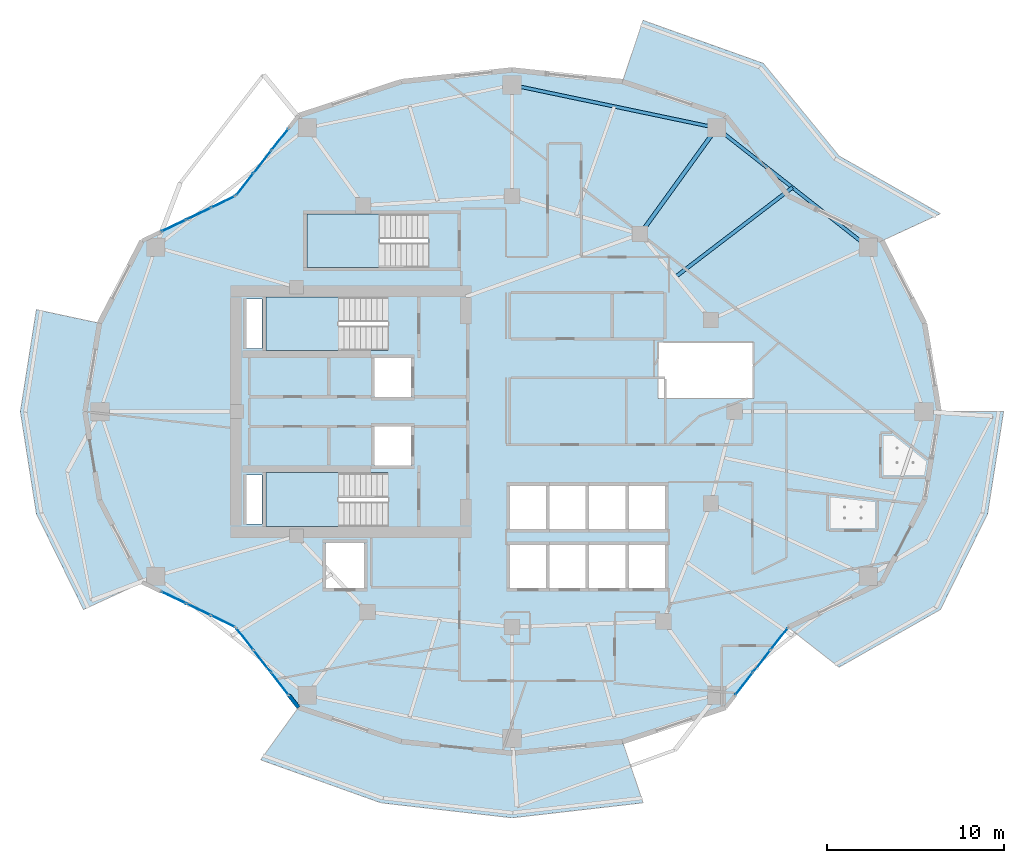
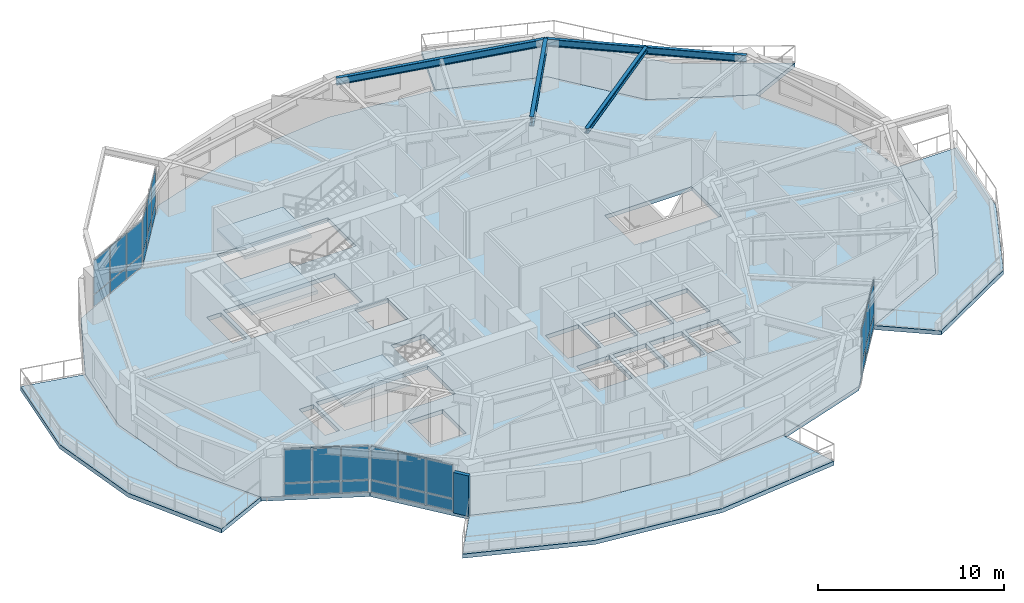
# One storey, part 6 of 18: 35 plates, 8 slabs, 4 beams, 1 wall, 8 elements without a shape of their own.
"""IFC4 building model written with IfcOpenShell, lengths in metres."""

from ifc_helpers import new_model, si_unit, direction, frame, frame_2d, origin, origin_2d, place, context, subcontext, project, spatial, polyline, rectangle, i_section, outline, extrude, material, layer, layer_set, material_profile, profile_set, type_object, element, aggregate, save


model = new_model("IFC4")

# Units and contexts
model_context = context("Model", 3, precision=1e-05, world=origin(), true_north=direction((0.0, 1.0)))
body_context = subcontext(model_context, "Body", "Model", "MODEL_VIEW")
ifc_project = project(units=[si_unit("LENGTHUNIT", "METRE"), si_unit("AREAUNIT", "SQUARE_METRE"), si_unit("VOLUMEUNIT", "CUBIC_METRE"), si_unit("PLANEANGLEUNIT", "RADIAN"), si_unit("MASSUNIT", "GRAM", prefix="KILO")], contexts=[model_context])

# Site, building, storey
site_placement = place(None, origin())
site = spatial("IfcSite", under=ifc_project, at=site_placement, CompositionType="ELEMENT")
building_placement = place(site_placement, origin())
building = spatial("IfcBuilding", under=site, at=building_placement, Name="Kolvaren Gate Tower and Convention Centre", CompositionType="ELEMENT")
storey_placement = place(building_placement, frame((0.0, 0.0, 115.5)))
storey = spatial("IfcBuildingStorey", under=building, at=storey_placement, Name="L28", CompositionType="ELEMENT", Elevation=115.5)

# Beams
ifc_material_1 = material(Name="Structural steel ASTM A992 Grade 345 MPa", Category="steel")
ifc_material_profile_1 = material_profile(ifc_material_1, i_section(OverallWidth=0.22998046875, OverallDepth=0.616943359375, WebThickness=0.01318359375, FlangeThickness=0.022216796875, at=origin_2d()), Name="W610X140")
ifc_profile_set_1 = profile_set([ifc_material_profile_1], Name="Structural steel ASTM A992 Grade 345 MPa")
beam_type_1 = type_object("IfcBeamType", Name="STR-BM-W610X140", PredefinedType="BEAM", material=ifc_profile_set_1)
beam_1_placement = place(storey_placement, frame((37.381591796875, 37.054931640625, 2.821533203125), z_axis=(0.585208050015, 0.810883184064, 0.0), x_axis=(-0.810883184064, 0.585208050015, 0.0)))
element("IfcBeam", 1, at=beam_1_placement, inside=storey, type_object=beam_type_1, Name="Tower L28 Radial Floor Girder RB-03", PredefinedType="BEAM", context=body_context, shape_type="SweptSolid", body=[
    extrude(i_section(OverallWidth=0.22998046875, OverallDepth=0.616943359375, WebThickness=0.01318359375, FlangeThickness=0.022216796875, at=origin_2d()), origin(), (0.0, 0.0, 1.0), 7.416015625),
])
ifc_material_profile_2 = material_profile(ifc_material_1, i_section(OverallWidth=0.205078125, OverallDepth=0.31005859375, WebThickness=0.009521484375, FlangeThickness=0.016357421875, at=origin_2d()), Name="W310X74")
ifc_profile_set_2 = profile_set([ifc_material_profile_2], Name="Structural steel ASTM A992 Grade 345 MPa")
beam_type_2 = type_object("IfcBeamType", Name="STR-JS-W310X74", PredefinedType="JOIST", material=ifc_profile_set_2)
beam_2_placement = place(storey_placement, frame((39.3818359375, 34.627197265625, 2.97509765625), z_axis=(0.79454218325, 0.607208958297, 0.0), x_axis=(-0.607208958297, 0.79454218325, 0.0)))
element("IfcBeam", 2, at=beam_2_placement, inside=storey, type_object=beam_type_2, Name="Tower L28 Secondary Composite Floor Joist J-02.1", PredefinedType="JOIST", context=body_context, shape_type="SweptSolid", body=[
    extrude(i_section(OverallWidth=0.205078125, OverallDepth=0.31005859375, WebThickness=0.009521484375, FlangeThickness=0.016357421875, at=origin_2d()), origin(), (0.0, 0.0, 1.0), 8.34326171875),
])
ifc_material_profile_3 = material_profile(ifc_material_1, i_section(OverallWidth=0.194091796875, OverallDepth=0.468994140625, WebThickness=0.0126953125, FlangeThickness=0.0205078125, at=origin_2d()), Name="W460X106")
ifc_profile_set_3 = profile_set([ifc_material_profile_3], Name="Structural steel ASTM A992 Grade 345 MPa")
beam_type_3 = type_object("IfcBeamType", Name="STR-SP-W460X106", PredefinedType="SPANDREL", material=ifc_profile_set_3)
beam_3_placement = place(storey_placement, frame((50.30029296875, 36.318603515625, 2.8955078125), z_axis=(-0.785907610354, 0.618343939881, 0.0), x_axis=(-0.618343939881, -0.785907610354, 0.0)))
element("IfcBeam", 3, at=beam_3_placement, inside=storey, type_object=beam_type_3, Name="Tower L28 Perimeter Spandrel Beam SP-02", PredefinedType="SPANDREL", context=body_context, shape_type="SweptSolid", body=[
    extrude(i_section(OverallWidth=0.194091796875, OverallDepth=0.468994140625, WebThickness=0.0126953125, FlangeThickness=0.0205078125, at=origin_2d()), origin(), (0.0, 0.0, 1.0), 10.915771484375),
])
beam_4_placement = place(storey_placement, frame((41.721435546875, 43.068359375, 2.8955078125), z_axis=(-0.978714746947, 0.205225349578, 0.0), x_axis=(-0.205225349578, -0.978714746947, 0.0)))
element("IfcBeam", 4, at=beam_4_placement, inside=storey, type_object=beam_type_3, Name="Tower L28 Perimeter Spandrel Beam SP-03", PredefinedType="SPANDREL", context=body_context, shape_type="SweptSolid", body=[
    extrude(i_section(OverallWidth=0.194091796875, OverallDepth=0.468994140625, WebThickness=0.0126953125, FlangeThickness=0.0205078125, at=origin_2d()), origin(), (0.0, 0.0, 1.0), 11.8486328125),
])

# Plates
ifc_material_2 = material(Name="Perforated Anodized Bronze Aluminium Sheet 6 mm", Category="aluminium")
ifc_layer_1 = layer(ifc_material_2, 0.011962890625)
ifc_layer_set_1 = layer_set([ifc_layer_1], Name="Perforated Anodized Bronze Aluminium Sheet 6 mm")
plate_type_1 = type_object("IfcPlateType", Name="ARCH-PL-SCREEN-PERF", PredefinedType="SHEET", material=ifc_layer_set_1)
for number, where, z_axis, x_axis, name in (
    (5, (16.25634765625, 41.490234375, 2.2900390625), (0.0, 0.0, 1.0), (0.616435493395, 0.787405411769, 0.0), "Tower L28 Perforated Bronze Solar Screen SS-08"),
    (6, (11.82958984375, 37.948974609375, 2.2900390625), (0.0, 0.0, 1.0), (0.901362925045, 0.433064518696, 0.0), "Tower L28 Perforated Bronze Solar Screen SS-09"),
    (7, (11.82958984375, 16.051025390625, 2.2900390625), (0.0, 0.0, 1.0), (0.901362925045, -0.433064518696, 0.0), "Tower L28 Perforated Bronze Solar Screen SS-14"),
    (8, (16.256103515625, 12.509765625, 2.2900390625), (0.0, 0.0, 1.0), (0.616424499081, -0.787414018756, 0.0), "Tower L28 Perforated Bronze Solar Screen SS-15"),
    (9, (43.993896484375, 12.509765625, 2.2900390625), (0.0, 0.0, 1.0), (0.616424499081, 0.787414018756, 0.0), "Tower L28 Perforated Bronze Solar Screen SS-20"),
):
    element("IfcPlate", number, at=place(storey_placement, frame(where, z_axis=z_axis, x_axis=x_axis)), inside=storey, type_object=plate_type_1, Name=name, PredefinedType="SHEET", context=body_context, shape_type="SweptSolid", body=[
        extrude(rectangle(XDim=2.60009765625, YDim=0.011962890625, at=origin_2d()), origin(), (0.0, 0.0, 1.0), 0.840087890625),
    ])

# Curtain wall, plates
ifc_material_3 = material(Name="Anodized Architectural Aluminium Alloy 6063-T6", Category="aluminium")
ifc_layer_2 = layer(ifc_material_3, 0.159912109375)
ifc_layer_set_2 = layer_set([ifc_layer_2], Name="Anodized Architectural Aluminium Alloy 6063-T6")
curtain_wall_type = type_object("IfcCurtainWallType", Name="CW-HTL-UNIT", PredefinedType="NOTDEFINED", material=ifc_layer_set_2)
curtain_wall_1_placement = place(storey_placement, origin())
curtain_wall_1 = element("IfcCurtainWall", 10, at=curtain_wall_1_placement, inside=storey, type_object=curtain_wall_type, Name="Tower L28 Unitised Curtain Wall CW-HTL-UNIT Bay 08", PredefinedType="NOTDEFINED")
ifc_material_4 = material(Name="Low-E Triple Insulated Glazing Unit 44 mm", Category="glass")
ifc_layer_3 = layer(ifc_material_4, 0.0439453125)
ifc_layer_set_3 = layer_set([ifc_layer_3], Name="Low-E Triple Insulated Glazing Unit 44 mm")
plate_type_2 = type_object("IfcPlateType", Name="CW-PL-IGU-44", PredefinedType="CURTAIN_PANEL", material=ifc_layer_set_3)
plate_1_placement = place(storey_placement, frame((14.992919921875, 39.876708984375, 0.88232421875), z_axis=(0.0, 0.0, 1.0), x_axis=(0.616441330983, 0.787400841666, 0.0)))
plate_1 = element("IfcPlate", 11, at=plate_1_placement, type_object=plate_type_2, Name="CW-03 panel 1.2", PredefinedType="CURTAIN_PANEL", context=body_context, shape_type="SweptSolid", body=[
    extrude(rectangle(XDim=1.5302734375, YDim=0.0439453125, at=origin_2d()), origin(), (0.0, 0.0, 1.0), 2.1826171875),
])
plate_2_placement = place(storey_placement, frame((15.986328125, 41.1455078125, 0.88232421875), z_axis=(0.0, 0.0, 1.0), x_axis=(0.616441330983, 0.787400841666, 0.0)))
plate_2 = element("IfcPlate", 12, at=plate_2_placement, type_object=plate_type_2, Name="CW-03 panel 2.2", PredefinedType="CURTAIN_PANEL", context=body_context, shape_type="SweptSolid", body=[
    extrude(rectangle(XDim=1.562744140625, YDim=0.0439453125, at=origin_2d()), origin(), (0.0, 0.0, 1.0), 2.1826171875),
])
plate_3_placement = place(storey_placement, frame((16.979736328125, 42.414306640625, 0.88232421875), z_axis=(0.0, 0.0, 1.0), x_axis=(0.616441330983, 0.787400841666, 0.0)))
plate_3 = element("IfcPlate", 13, at=plate_3_placement, type_object=plate_type_2, Name="CW-03 panel 3.2", PredefinedType="CURTAIN_PANEL", context=body_context, shape_type="SweptSolid", body=[
    extrude(rectangle(XDim=1.5302734375, YDim=0.0439453125, at=origin_2d()), origin(), (0.0, 0.0, 1.0), 2.1826171875),
])

curtain_wall_2_placement = place(storey_placement, origin())
curtain_wall_2 = element("IfcCurtainWall", 14, at=curtain_wall_2_placement, inside=storey, type_object=curtain_wall_type, Name="Tower L28 Unitised Curtain Wall CW-HTL-UNIT Bay 09", PredefinedType="NOTDEFINED")
plate_4_placement = place(storey_placement, frame((10.963623046875, 37.532958984375, 0.88232421875), z_axis=(0.0, 0.0, 1.0), x_axis=(0.901359070966, 0.43307254033, 0.0)))
plate_4 = element("IfcPlate", 15, at=plate_4_placement, type_object=plate_type_2, Name="CW-03 panel 1.2", PredefinedType="CURTAIN_PANEL", context=body_context, shape_type="SweptSolid", body=[
    extrude(rectangle(XDim=1.469970703125, YDim=0.0439453125, at=origin_2d()), origin(), (0.0, 0.0, 1.0), 2.1826171875),
])
plate_5_placement = place(storey_placement, frame((12.36181640625, 38.20458984375, 0.88232421875), z_axis=(0.0, 0.0, 1.0), x_axis=(0.901359070966, 0.43307254033, 0.0)))
plate_5 = element("IfcPlate", 16, at=plate_5_placement, type_object=plate_type_2, Name="CW-03 panel 2.2", PredefinedType="CURTAIN_PANEL", context=body_context, shape_type="SweptSolid", body=[
    extrude(rectangle(XDim=1.50244140625, YDim=0.0439453125, at=origin_2d()), origin(), (0.0, 0.0, 1.0), 2.1826171875),
])
plate_6_placement = place(storey_placement, frame((13.76025390625, 38.87646484375, 0.88232421875), z_axis=(0.0, 0.0, 1.0), x_axis=(0.901359070966, 0.43307254033, 0.0)))
plate_6 = element("IfcPlate", 17, at=plate_6_placement, type_object=plate_type_2, Name="CW-03 panel 3.2", PredefinedType="CURTAIN_PANEL", context=body_context, shape_type="SweptSolid", body=[
    extrude(rectangle(XDim=1.469970703125, YDim=0.0439453125, at=origin_2d()), origin(), (0.0, 0.0, 1.0), 2.1826171875),
])

curtain_wall_3_placement = place(storey_placement, origin())
curtain_wall_3 = element("IfcCurtainWall", 18, at=curtain_wall_3_placement, inside=storey, type_object=curtain_wall_type, Name="Tower L28 Unitised Curtain Wall CW-HTL-UNIT Bay 14", PredefinedType="NOTDEFINED")
plate_7_placement = place(storey_placement, frame((10.963623046875, 16.467041015625, 0.88232421875), z_axis=(0.0, 0.0, 1.0), x_axis=(0.901359070966, -0.43307254033, 0.0)))
plate_7 = element("IfcPlate", 19, at=plate_7_placement, type_object=plate_type_2, Name="CW-03 panel 1.2", PredefinedType="CURTAIN_PANEL", context=body_context, shape_type="SweptSolid", body=[
    extrude(rectangle(XDim=1.469970703125, YDim=0.0439453125, at=origin_2d()), origin(), (0.0, 0.0, 1.0), 2.1826171875),
])
plate_8_placement = place(storey_placement, frame((12.36181640625, 15.79541015625, 0.88232421875), z_axis=(0.0, 0.0, 1.0), x_axis=(0.901359070966, -0.43307254033, 0.0)))
plate_8 = element("IfcPlate", 20, at=plate_8_placement, type_object=plate_type_2, Name="CW-03 panel 2.2", PredefinedType="CURTAIN_PANEL", context=body_context, shape_type="SweptSolid", body=[
    extrude(rectangle(XDim=1.50244140625, YDim=0.0439453125, at=origin_2d()), origin(), (0.0, 0.0, 1.0), 2.1826171875),
])
plate_9_placement = place(storey_placement, frame((13.76025390625, 15.12353515625, 0.88232421875), z_axis=(0.0, 0.0, 1.0), x_axis=(0.901359070966, -0.43307254033, 0.0)))
plate_9 = element("IfcPlate", 21, at=plate_9_placement, type_object=plate_type_2, Name="CW-03 panel 3.2", PredefinedType="CURTAIN_PANEL", context=body_context, shape_type="SweptSolid", body=[
    extrude(rectangle(XDim=1.469970703125, YDim=0.0439453125, at=origin_2d()), origin(), (0.0, 0.0, 1.0), 2.1826171875),
])

curtain_wall_4_placement = place(storey_placement, origin())
curtain_wall_4 = element("IfcCurtainWall", 22, at=curtain_wall_4_placement, inside=storey, type_object=curtain_wall_type, Name="Tower L28 Unitised Curtain Wall CW-HTL-UNIT Bay 15", PredefinedType="NOTDEFINED")
plate_10_placement = place(storey_placement, frame((14.992919921875, 14.123291015625, 0.88232421875), z_axis=(0.0, 0.0, 1.0), x_axis=(0.616428633699, -0.787410781966, 0.0)))
plate_10 = element("IfcPlate", 23, at=plate_10_placement, type_object=plate_type_2, Name="CW-03 panel 1.2", PredefinedType="CURTAIN_PANEL", context=body_context, shape_type="SweptSolid", body=[
    extrude(rectangle(XDim=1.5302734375, YDim=0.0439453125, at=origin_2d()), origin(), (0.0, 0.0, 1.0), 2.1826171875),
])
plate_11_placement = place(storey_placement, frame((15.986328125, 12.8544921875, 0.88232421875), z_axis=(0.0, 0.0, 1.0), x_axis=(0.616428633699, -0.787410781966, 0.0)))
plate_11 = element("IfcPlate", 24, at=plate_11_placement, type_object=plate_type_2, Name="CW-03 panel 2.2", PredefinedType="CURTAIN_PANEL", context=body_context, shape_type="SweptSolid", body=[
    extrude(rectangle(XDim=1.562744140625, YDim=0.0439453125, at=origin_2d()), origin(), (0.0, 0.0, 1.0), 2.1826171875),
])
plate_12_placement = place(storey_placement, frame((16.979736328125, 11.585693359375, 0.88232421875), z_axis=(0.0, 0.0, 1.0), x_axis=(0.616428633699, -0.787410781966, 0.0)))
plate_12 = element("IfcPlate", 25, at=plate_12_placement, type_object=plate_type_2, Name="CW-03 panel 3.2", PredefinedType="CURTAIN_PANEL", context=body_context, shape_type="SweptSolid", body=[
    extrude(rectangle(XDim=1.5302734375, YDim=0.0439453125, at=origin_2d()), origin(), (0.0, 0.0, 1.0), 2.1826171875),
])

curtain_wall_5_placement = place(storey_placement, origin())
curtain_wall_5 = element("IfcCurtainWall", 26, at=curtain_wall_5_placement, inside=storey, type_object=curtain_wall_type, Name="Tower L28 Unitised Curtain Wall CW-HTL-UNIT Bay 20", PredefinedType="NOTDEFINED")
plate_13_placement = place(storey_placement, frame((43.2705078125, 11.585693359375, 0.88232421875), z_axis=(0.0, 0.0, 1.0), x_axis=(0.616425876414, 0.787412940513, 0.0)))
plate_13 = element("IfcPlate", 27, at=plate_13_placement, type_object=plate_type_2, Name="CW-03 panel 1.2", PredefinedType="CURTAIN_PANEL", context=body_context, shape_type="SweptSolid", body=[
    extrude(rectangle(XDim=1.530029296875, YDim=0.0439453125, at=origin_2d()), origin(), (0.0, 0.0, 1.0), 2.1826171875),
])
plate_14_placement = place(storey_placement, frame((44.263671875, 12.8544921875, 0.88232421875), z_axis=(0.0, 0.0, 1.0), x_axis=(0.616425876414, 0.787412940513, 0.0)))
plate_14 = element("IfcPlate", 28, at=plate_14_placement, type_object=plate_type_2, Name="CW-03 panel 2.2", PredefinedType="CURTAIN_PANEL", context=body_context, shape_type="SweptSolid", body=[
    extrude(rectangle(XDim=1.5625, YDim=0.0439453125, at=origin_2d()), origin(), (0.0, 0.0, 1.0), 2.1826171875),
])
plate_15_placement = place(storey_placement, frame((45.257080078125, 14.123291015625, 0.88232421875), z_axis=(0.0, 0.0, 1.0), x_axis=(0.616425876414, 0.787412940513, 0.0)))
plate_15 = element("IfcPlate", 29, at=plate_15_placement, type_object=plate_type_2, Name="CW-03 panel 3.2", PredefinedType="CURTAIN_PANEL", context=body_context, shape_type="SweptSolid", body=[
    extrude(rectangle(XDim=1.530029296875, YDim=0.0439453125, at=origin_2d()), origin(), (0.0, 0.0, 1.0), 2.1826171875),
])

# Plate
ifc_material_5 = material(Name="Solar-Control Laminated Curtain Glazing 36 mm", Category="glass")
ifc_layer_4 = layer(ifc_material_5, 0.035888671875)
ifc_layer_set_4 = layer_set([ifc_layer_4], Name="Solar-Control Laminated Curtain Glazing 36 mm")
plate_type_3 = type_object("IfcPlateType", Name="CW-PL-SPAN-36", PredefinedType="CURTAIN_PANEL", material=ifc_layer_set_4)
plate_16_placement = place(storey_placement, frame((14.992919921875, 39.876708984375, 0.06494140625), z_axis=(0.0, 0.0, 1.0), x_axis=(0.616441330983, 0.787400841666, 0.0)))
plate_16 = element("IfcPlate", 30, at=plate_16_placement, type_object=plate_type_3, Name="CW-03 panel 1.1", PredefinedType="CURTAIN_PANEL", context=body_context, shape_type="SweptSolid", body=[
    extrude(rectangle(XDim=1.5302734375, YDim=0.035888671875, at=origin_2d()), origin(), (0.0, 0.0, 1.0), 0.75244140625),
])

plate_17_placement = place(storey_placement, frame((15.986328125, 41.1455078125, 0.06494140625), z_axis=(0.0, 0.0, 1.0), x_axis=(0.616441330983, 0.787400841666, 0.0)))
plate_17 = element("IfcPlate", 31, at=plate_17_placement, type_object=plate_type_3, Name="CW-03 panel 2.1", PredefinedType="CURTAIN_PANEL", context=body_context, shape_type="SweptSolid", body=[
    extrude(rectangle(XDim=1.562744140625, YDim=0.035888671875, at=origin_2d()), origin(), (0.0, 0.0, 1.0), 0.75244140625),
])

plate_18_placement = place(storey_placement, frame((16.979736328125, 42.414306640625, 0.06494140625), z_axis=(0.0, 0.0, 1.0), x_axis=(0.616441330983, 0.787400841666, 0.0)))
plate_18 = element("IfcPlate", 32, at=plate_18_placement, type_object=plate_type_3, Name="CW-03 panel 3.1", PredefinedType="CURTAIN_PANEL", context=body_context, shape_type="SweptSolid", body=[
    extrude(rectangle(XDim=1.5302734375, YDim=0.035888671875, at=origin_2d()), origin(), (0.0, 0.0, 1.0), 0.75244140625),
])

aggregate(curtain_wall_1, [plate_16, plate_1, plate_17, plate_2, plate_18, plate_3])

plate_19_placement = place(storey_placement, frame((10.963623046875, 37.532958984375, 0.06494140625), z_axis=(0.0, 0.0, 1.0), x_axis=(0.901359070966, 0.43307254033, 0.0)))
plate_19 = element("IfcPlate", 33, at=plate_19_placement, type_object=plate_type_3, Name="CW-03 panel 1.1", PredefinedType="CURTAIN_PANEL", context=body_context, shape_type="SweptSolid", body=[
    extrude(rectangle(XDim=1.469970703125, YDim=0.035888671875, at=origin_2d()), origin(), (0.0, 0.0, 1.0), 0.75244140625),
])

plate_20_placement = place(storey_placement, frame((12.36181640625, 38.20458984375, 0.06494140625), z_axis=(0.0, 0.0, 1.0), x_axis=(0.901359070966, 0.43307254033, 0.0)))
plate_20 = element("IfcPlate", 34, at=plate_20_placement, type_object=plate_type_3, Name="CW-03 panel 2.1", PredefinedType="CURTAIN_PANEL", context=body_context, shape_type="SweptSolid", body=[
    extrude(rectangle(XDim=1.50244140625, YDim=0.035888671875, at=origin_2d()), origin(), (0.0, 0.0, 1.0), 0.75244140625),
])

plate_21_placement = place(storey_placement, frame((13.76025390625, 38.87646484375, 0.06494140625), z_axis=(0.0, 0.0, 1.0), x_axis=(0.901359070966, 0.43307254033, 0.0)))
plate_21 = element("IfcPlate", 35, at=plate_21_placement, type_object=plate_type_3, Name="CW-03 panel 3.1", PredefinedType="CURTAIN_PANEL", context=body_context, shape_type="SweptSolid", body=[
    extrude(rectangle(XDim=1.469970703125, YDim=0.035888671875, at=origin_2d()), origin(), (0.0, 0.0, 1.0), 0.75244140625),
])

aggregate(curtain_wall_2, [plate_19, plate_4, plate_20, plate_5, plate_21, plate_6])

plate_22_placement = place(storey_placement, frame((10.963623046875, 16.467041015625, 0.06494140625), z_axis=(0.0, 0.0, 1.0), x_axis=(0.901359070966, -0.43307254033, 0.0)))
plate_22 = element("IfcPlate", 36, at=plate_22_placement, type_object=plate_type_3, Name="CW-03 panel 1.1", PredefinedType="CURTAIN_PANEL", context=body_context, shape_type="SweptSolid", body=[
    extrude(rectangle(XDim=1.469970703125, YDim=0.035888671875, at=origin_2d()), origin(), (0.0, 0.0, 1.0), 0.75244140625),
])

plate_23_placement = place(storey_placement, frame((12.36181640625, 15.79541015625, 0.06494140625), z_axis=(0.0, 0.0, 1.0), x_axis=(0.901359070966, -0.43307254033, 0.0)))
plate_23 = element("IfcPlate", 37, at=plate_23_placement, type_object=plate_type_3, Name="CW-03 panel 2.1", PredefinedType="CURTAIN_PANEL", context=body_context, shape_type="SweptSolid", body=[
    extrude(rectangle(XDim=1.50244140625, YDim=0.035888671875, at=origin_2d()), origin(), (0.0, 0.0, 1.0), 0.75244140625),
])

plate_24_placement = place(storey_placement, frame((13.76025390625, 15.12353515625, 0.06494140625), z_axis=(0.0, 0.0, 1.0), x_axis=(0.901359070966, -0.43307254033, 0.0)))
plate_24 = element("IfcPlate", 38, at=plate_24_placement, type_object=plate_type_3, Name="CW-03 panel 3.1", PredefinedType="CURTAIN_PANEL", context=body_context, shape_type="SweptSolid", body=[
    extrude(rectangle(XDim=1.469970703125, YDim=0.035888671875, at=origin_2d()), origin(), (0.0, 0.0, 1.0), 0.75244140625),
])

aggregate(curtain_wall_3, [plate_22, plate_7, plate_23, plate_8, plate_24, plate_9])

plate_25_placement = place(storey_placement, frame((14.992919921875, 14.123291015625, 0.06494140625), z_axis=(0.0, 0.0, 1.0), x_axis=(0.616428633699, -0.787410781966, 0.0)))
plate_25 = element("IfcPlate", 39, at=plate_25_placement, type_object=plate_type_3, Name="CW-03 panel 1.1", PredefinedType="CURTAIN_PANEL", context=body_context, shape_type="SweptSolid", body=[
    extrude(rectangle(XDim=1.5302734375, YDim=0.035888671875, at=origin_2d()), origin(), (0.0, 0.0, 1.0), 0.75244140625),
])

plate_26_placement = place(storey_placement, frame((15.986328125, 12.8544921875, 0.06494140625), z_axis=(0.0, 0.0, 1.0), x_axis=(0.616428633699, -0.787410781966, 0.0)))
plate_26 = element("IfcPlate", 40, at=plate_26_placement, type_object=plate_type_3, Name="CW-03 panel 2.1", PredefinedType="CURTAIN_PANEL", context=body_context, shape_type="SweptSolid", body=[
    extrude(rectangle(XDim=1.562744140625, YDim=0.035888671875, at=origin_2d()), origin(), (0.0, 0.0, 1.0), 0.75244140625),
])

plate_27_placement = place(storey_placement, frame((16.979736328125, 11.585693359375, 0.06494140625), z_axis=(0.0, 0.0, 1.0), x_axis=(0.616428633699, -0.787410781966, 0.0)))
plate_27 = element("IfcPlate", 41, at=plate_27_placement, type_object=plate_type_3, Name="CW-03 panel 3.1", PredefinedType="CURTAIN_PANEL", context=body_context, shape_type="SweptSolid", body=[
    extrude(rectangle(XDim=1.5302734375, YDim=0.035888671875, at=origin_2d()), origin(), (0.0, 0.0, 1.0), 0.75244140625),
])

aggregate(curtain_wall_4, [plate_25, plate_10, plate_26, plate_11, plate_27, plate_12])

plate_28_placement = place(storey_placement, frame((43.2705078125, 11.585693359375, 0.06494140625), z_axis=(0.0, 0.0, 1.0), x_axis=(0.616425876414, 0.787412940513, 0.0)))
plate_28 = element("IfcPlate", 42, at=plate_28_placement, type_object=plate_type_3, Name="CW-03 panel 1.1", PredefinedType="CURTAIN_PANEL", context=body_context, shape_type="SweptSolid", body=[
    extrude(rectangle(XDim=1.530029296875, YDim=0.035888671875, at=origin_2d()), origin(), (0.0, 0.0, 1.0), 0.75244140625),
])

plate_29_placement = place(storey_placement, frame((44.263671875, 12.8544921875, 0.06494140625), z_axis=(0.0, 0.0, 1.0), x_axis=(0.616425876414, 0.787412940513, 0.0)))
plate_29 = element("IfcPlate", 43, at=plate_29_placement, type_object=plate_type_3, Name="CW-03 panel 2.1", PredefinedType="CURTAIN_PANEL", context=body_context, shape_type="SweptSolid", body=[
    extrude(rectangle(XDim=1.5625, YDim=0.035888671875, at=origin_2d()), origin(), (0.0, 0.0, 1.0), 0.75244140625),
])

plate_30_placement = place(storey_placement, frame((45.257080078125, 14.123291015625, 0.06494140625), z_axis=(0.0, 0.0, 1.0), x_axis=(0.616425876414, 0.787412940513, 0.0)))
plate_30 = element("IfcPlate", 44, at=plate_30_placement, type_object=plate_type_3, Name="CW-03 panel 3.1", PredefinedType="CURTAIN_PANEL", context=body_context, shape_type="SweptSolid", body=[
    extrude(rectangle(XDim=1.530029296875, YDim=0.035888671875, at=origin_2d()), origin(), (0.0, 0.0, 1.0), 0.75244140625),
])

aggregate(curtain_wall_5, [plate_28, plate_13, plate_29, plate_14, plate_30, plate_15])

# Slabs
ifc_material_6 = material(Name="Concrete C50/60", Category="concrete")
ifc_layer_5 = layer(ifc_material_6, 0.27001953125)
ifc_layer_set_5 = layer_set([ifc_layer_5], Name="Concrete C50/60")
slab_type_1 = type_object("IfcSlabType", Name="STR-SL-BALC-270", PredefinedType="FLOOR", material=ifc_layer_set_5)
slab_1_placement = place(storey_placement, frame((0.0, 0.0, -0.27001953125)))
element("IfcSlab", 45, at=slab_1_placement, inside=storey, type_object=slab_type_1, Name="Tower L28 Planted Balcony Terrace Slab 1 (North)", PredefinedType="FLOOR", context=body_context, shape_type="SweptSolid", body=[
    extrude(outline(polyline([(51.072021484375, 36.675048828125), (45.768798828125, 39.222900390625), (42.21875, 43.757568359375), (36.38525390625, 45.690673828125), (37.547607421875, 49.1611328125), (44.360595703125, 46.725341796875), (48.652587890625, 41.476318359375), (54.394775390625, 38.209716796875), (51.072021484375, 36.675048828125)])), origin(), (0.0, 0.0, 1.0), 0.27001953125),
])
slab_2_placement = place(storey_placement, frame((0.0, 0.0, -0.27001953125)))
element("IfcSlab", 46, at=slab_2_placement, inside=storey, type_object=slab_type_1, Name="Tower L28 Planted Balcony Terrace Slab 2 (West)", PredefinedType="FLOOR", context=body_context, shape_type="SweptSolid", body=[
    extrude(outline(polyline([(6.76171875, 32.008056640625), (5.9375, 27.0), (6.76171875, 21.991943359375), (9.177978515625, 17.324951171875), (5.855224609375, 15.790283203125), (3.18310546875, 21.224853515625), (2.277587890625, 27.0), (3.18310546875, 32.775146484375), (6.76171875, 32.008056640625)])), origin(), (0.0, 0.0, 1.0), 0.27001953125),
])
slab_3_placement = place(storey_placement, frame((0.0, 0.0, -0.27001953125)))
element("IfcSlab", 47, at=slab_3_placement, inside=storey, type_object=slab_type_1, Name="Tower L28 Planted Balcony Terrace Slab 3 (South)", PredefinedType="FLOOR", context=body_context, shape_type="SweptSolid", body=[
    extrude(outline(polyline([(18.03125, 10.242431640625), (23.86474609375, 8.309326171875), (30.125, 7.64990234375), (36.38525390625, 8.309326171875), (37.547607421875, 4.8388671875), (30.125, 3.989990234375), (22.702392578125, 4.8388671875), (15.889404296875, 7.274658203125), (18.03125, 10.242431640625)])), origin(), (0.0, 0.0, 1.0), 0.27001953125),
])
slab_4_placement = place(storey_placement, frame((0.0, 0.0, -0.27001953125)))
element("IfcSlab", 48, at=slab_4_placement, inside=storey, type_object=slab_type_1, Name="Tower L28 Planted Balcony Terrace Slab 4 (East)", PredefinedType="FLOOR", context=body_context, shape_type="SweptSolid", body=[
    extrude(outline(polyline([(45.768798828125, 14.777099609375), (51.072021484375, 17.324951171875), (53.48828125, 21.991943359375), (54.3125, 27.0), (57.972412109375, 27.0), (57.06689453125, 21.224853515625), (54.394775390625, 15.790283203125), (48.652587890625, 12.523681640625), (45.768798828125, 14.777099609375)])), origin(), (0.0, 0.0, 1.0), 0.27001953125),
])
ifc_material_7 = material(Name="Concrete C40/50", Category="concrete")
ifc_layer_6 = layer(ifc_material_7, 0.27001953125)
ifc_layer_set_6 = layer_set([ifc_layer_6], Name="Concrete C40/50")
slab_type_2 = type_object("IfcSlabType", Name="STR-SL-FLR-270", PredefinedType="FLOOR", material=ifc_layer_set_6)
slab_5_placement = place(storey_placement, frame((0.0, 0.0, -0.27001953125)))
element("IfcSlab", 49, at=slab_5_placement, inside=storey, type_object=slab_type_2, Name="Tower L28 Structural Floor Slab", PredefinedType="FLOOR", context=body_context, shape_type="SweptSolid", body=[
    extrude(outline(polyline([(54.3125, 27.0), (53.48828125, 32.008056640625), (51.072021484375, 36.675048828125), (45.768798828125, 39.222900390625), (42.21875, 43.757568359375), (36.38525390625, 45.690673828125), (30.125, 46.35009765625), (23.86474609375, 45.690673828125), (18.03125, 43.757568359375), (14.481201171875, 39.222900390625), (9.177978515625, 36.675048828125), (6.76171875, 32.008056640625), (5.9375, 27.0), (6.76171875, 21.991943359375), (9.177978515625, 17.324951171875), (14.481201171875, 14.777099609375), (18.03125, 10.242431640625), (23.86474609375, 8.309326171875), (30.125, 7.64990234375), (36.38525390625, 8.309326171875), (42.21875, 10.242431640625), (45.768798828125, 14.777099609375), (51.072021484375, 17.324951171875), (53.48828125, 21.991943359375), (54.3125, 27.0)]), holes=[polyline([(38.39990234375, 30.949951171875), (43.800048828125, 30.949951171875), (43.800048828125, 27.75), (38.39990234375, 27.75), (38.39990234375, 30.949951171875)]), polyline([(36.75, 22.800048828125), (38.800048828125, 22.800048828125), (38.800048828125, 20.35009765625), (36.75, 20.35009765625), (36.75, 22.800048828125)]), polyline([(36.75, 17.0), (36.75, 19.449951171875), (38.800048828125, 19.449951171875), (38.800048828125, 17.0), (36.75, 17.0)]), polyline([(34.5, 20.35009765625), (34.5, 22.800048828125), (36.550048828125, 22.800048828125), (36.550048828125, 20.35009765625), (34.5, 20.35009765625)]), polyline([(34.5, 17.0), (34.5, 19.449951171875), (36.550048828125, 19.449951171875), (36.550048828125, 17.0), (34.5, 17.0)]), polyline([(32.25, 20.35009765625), (32.25, 22.800048828125), (34.300048828125, 22.800048828125), (34.300048828125, 20.35009765625), (32.25, 20.35009765625)]), polyline([(32.25, 17.0), (32.25, 19.449951171875), (34.300048828125, 19.449951171875), (34.300048828125, 17.0), (32.25, 17.0)]), polyline([(30.0, 17.0), (30.0, 19.449951171875), (32.050048828125, 19.449951171875), (32.050048828125, 17.0), (30.0, 17.0)]), polyline([(30.0, 20.35009765625), (30.0, 22.800048828125), (32.050048828125, 22.800048828125), (32.050048828125, 20.35009765625), (30.0, 20.35009765625)]), polyline([(25.39990234375, 38.199951171875), (25.39990234375, 35.159912109375), (18.5, 35.159912109375), (18.5, 38.199951171875), (25.39990234375, 38.199951171875)]), polyline([(22.35009765625, 27.840087890625), (22.35009765625, 30.0400390625), (24.39990234375, 30.0400390625), (24.39990234375, 27.840087890625), (22.35009765625, 27.840087890625)]), polyline([(22.35009765625, 23.9599609375), (22.35009765625, 26.159912109375), (24.39990234375, 26.159912109375), (24.39990234375, 23.9599609375), (22.35009765625, 23.9599609375)]), polyline([(23.10009765625, 33.5), (23.10009765625, 30.4599609375), (16.199951171875, 30.4599609375), (16.199951171875, 33.5), (23.10009765625, 33.5)]), polyline([(23.10009765625, 23.5400390625), (23.10009765625, 20.5), (16.199951171875, 20.5), (16.199951171875, 23.5400390625), (23.10009765625, 23.5400390625)]), polyline([(19.60009765625, 17.0), (19.60009765625, 19.550048828125), (21.75, 19.550048828125), (21.75, 17.0), (19.60009765625, 17.0)]), polyline([(15.080078125, 20.6298828125), (15.080078125, 23.419921875), (15.969970703125, 23.419921875), (15.969970703125, 20.6298828125), (15.080078125, 20.6298828125)]), polyline([(15.080078125, 30.580078125), (15.080078125, 33.3701171875), (15.969970703125, 33.3701171875), (15.969970703125, 30.580078125), (15.080078125, 30.580078125)])]), origin(), (0.0, 0.0, 1.0), 0.27001953125),
])

# Stair, slab
stair_type = type_object("IfcStairType", Name="STR-STAIR-CORE", PredefinedType="HALF_TURN_STAIR", material=ifc_material_6)
stair_1_placement = place(storey_placement, origin())
stair_1 = element("IfcStair", 50, at=stair_1_placement, inside=storey, type_object=stair_type, Name="L28 Tower North Exit Stair ST-T1", PredefinedType="HALF_TURN_STAIR")
ifc_layer_7 = layer(ifc_material_6, 0.199951171875)
ifc_layer_set_7 = layer_set([ifc_layer_7], Name="Concrete C50/60")
slab_type_3 = type_object("IfcSlabType", Name="STR-SL-LAND-200", PredefinedType="LANDING", material=ifc_layer_set_7)
slab_6_placement = place(storey_placement, frame((0.0, 0.0, 1.5)))
slab_6 = element("IfcSlab", 51, at=slab_6_placement, type_object=slab_type_3, Name="ST-T1 landing 1", PredefinedType="LANDING", context=body_context, shape_type="SweptSolid", body=[
    extrude(outline(polyline([(20.31005859375, 33.5), (16.199951171875, 33.5), (16.199951171875, 30.4599609375), (20.31005859375, 30.4599609375), (20.31005859375, 33.5)])), origin(), (0.0, 0.0, 1.0), 0.199951171875),
])
aggregate(stair_1, [slab_6])

stair_2_placement = place(storey_placement, origin())
stair_2 = element("IfcStair", 52, at=stair_2_placement, inside=storey, type_object=stair_type, Name="L28 Tower South Exit Stair ST-T2", PredefinedType="HALF_TURN_STAIR")
slab_7_placement = place(storey_placement, frame((0.0, 0.0, 1.5)))
slab_7 = element("IfcSlab", 53, at=slab_7_placement, type_object=slab_type_3, Name="ST-T2 landing 1", PredefinedType="LANDING", context=body_context, shape_type="SweptSolid", body=[
    extrude(outline(polyline([(20.31005859375, 23.5400390625), (16.199951171875, 23.5400390625), (16.199951171875, 20.5), (20.31005859375, 20.5), (20.31005859375, 23.5400390625)])), origin(), (0.0, 0.0, 1.0), 0.199951171875),
])
aggregate(stair_2, [slab_7])

stair_3_placement = place(storey_placement, origin())
stair_3 = element("IfcStair", 54, at=stair_3_placement, inside=storey, type_object=stair_type, Name="L28 Tower Mid-Zone Exit Stair ST-T3", PredefinedType="HALF_TURN_STAIR")
slab_8_placement = place(storey_placement, frame((0.0, 0.0, 1.5)))
slab_8 = element("IfcSlab", 55, at=slab_8_placement, type_object=slab_type_3, Name="ST-T3 landing 1", PredefinedType="LANDING", context=body_context, shape_type="SweptSolid", body=[
    extrude(outline(polyline([(22.610107421875, 38.199951171875), (18.5, 38.199951171875), (18.5, 35.159912109375), (22.610107421875, 35.159912109375), (22.610107421875, 38.199951171875)])), origin(), (0.0, 0.0, 1.0), 0.199951171875),
])
aggregate(stair_3, [slab_8])

# Wall
ifc_material_8 = material(Name="Bogota Sabana Bush-Hammered Sandstone Cladding", Category="masonry")
ifc_layer_8 = layer(ifc_material_8, 0.219970703125)
ifc_layer_set_8 = layer_set([ifc_layer_8], Name="Bogota Sabana Bush-Hammered Sandstone Cladding")
wall_type = type_object("IfcWallType", Name="ARCH-WL-PIER-220", PredefinedType="SOLIDWALL", material=ifc_layer_set_8)
wall_placement = place(storey_placement, frame((17.4912109375, 10.93212890625, 0.0), z_axis=(0.0, 0.0, 1.0), x_axis=(0.61650363284, -0.787352062736, 0.0)))
element("IfcWall", 56, at=wall_placement, inside=storey, type_object=wall_type, Name="Tower L28 Unitised Curtain Wall CW-HTL-UNIT Bay 15 Right Column Pier Wrap", PredefinedType="SOLIDWALL", context=body_context, shape_type="SweptSolid", body=[
    extrude(rectangle(XDim=0.8759765625, YDim=0.219970703125, at=frame_2d((0.43798828125, 0.0))), origin(), (0.0, 0.0, 1.0), 2.653076171875),
])

save(model, "model.ifc")
